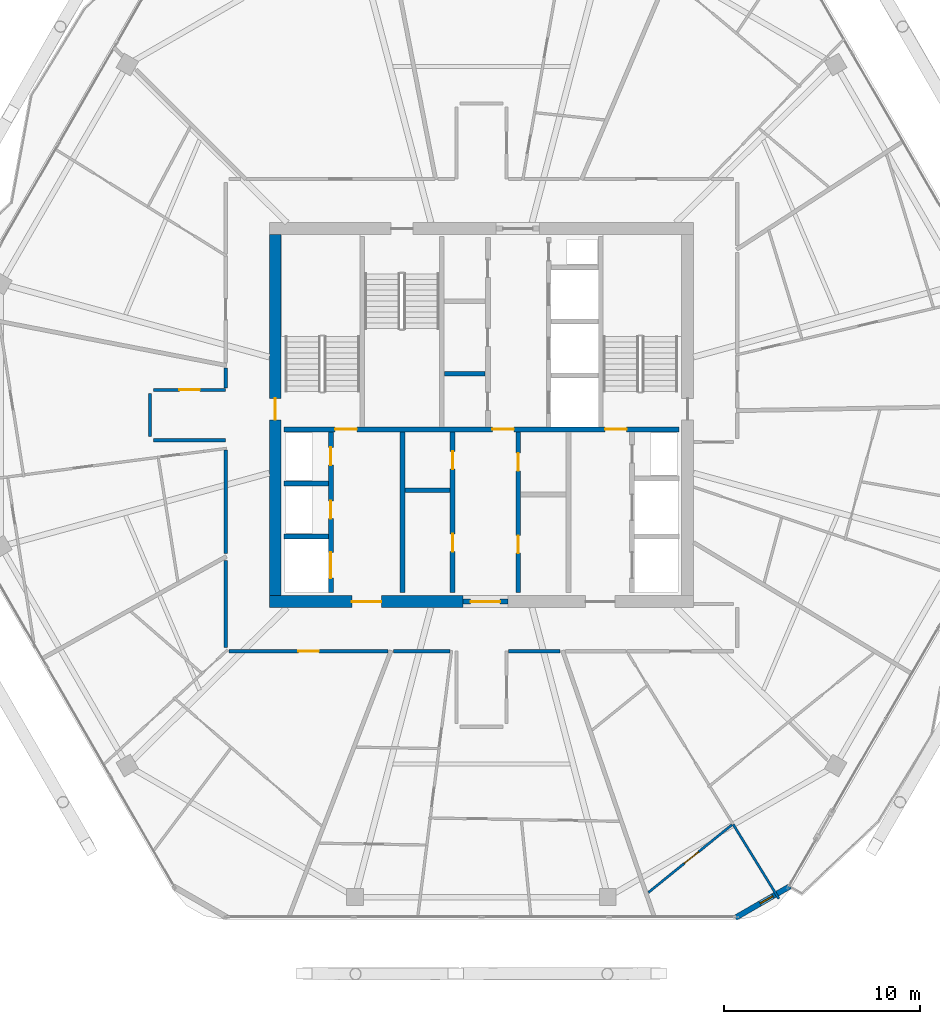
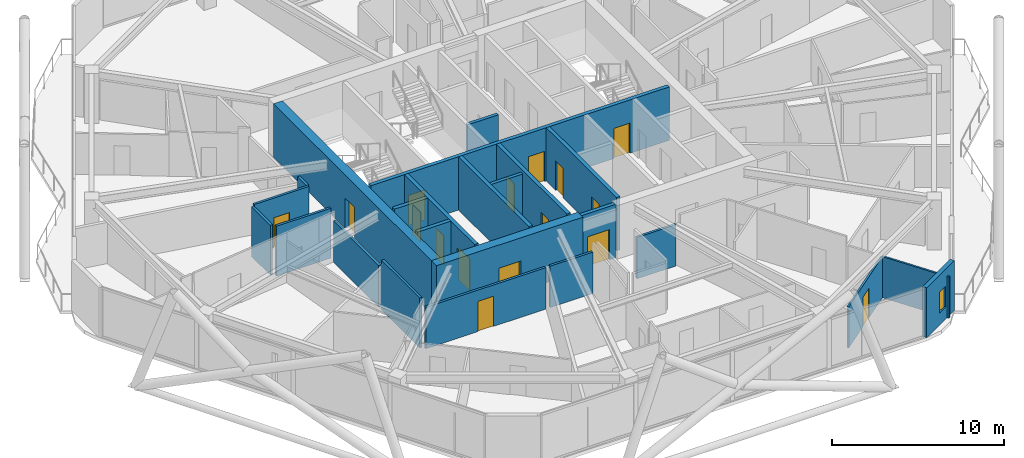
# One storey, part 21 of 29: 24 walls, 16 doors, 1 window, 17 openings.
"""IFC4 building model written with IfcOpenShell, lengths in metres."""

from ifc_helpers import new_model, si_unit, direction, frame, frame_2d, origin, place, context, subcontext, project, spatial, rectangle, extrude, material, layer, layer_set, type_object, element, fill, save


model = new_model("IFC4")

# Units and contexts
model_context = context("Model", 3, precision=1e-05, world=origin(), true_north=direction((0.0, 1.0)))
body_context = subcontext(model_context, "Body", "Model", "MODEL_VIEW")
ifc_project = project(units=[si_unit("LENGTHUNIT", "METRE"), si_unit("AREAUNIT", "SQUARE_METRE"), si_unit("VOLUMEUNIT", "CUBIC_METRE"), si_unit("PLANEANGLEUNIT", "RADIAN"), si_unit("MASSUNIT", "GRAM", prefix="KILO")], contexts=[model_context])

# Site, building, storey
site_placement = place(None, origin())
site = spatial("IfcSite", under=ifc_project, at=site_placement, CompositionType="ELEMENT")
building_placement = place(site_placement, origin())
building = spatial("IfcBuilding", under=site, at=building_placement, Name="Zuhravey Tower", CompositionType="ELEMENT")
storey_placement = place(building_placement, frame((0.0, 0.0, 292.0)))
storey = spatial("IfcBuildingStorey", under=building, at=storey_placement, Name="L74", CompositionType="ELEMENT", Elevation=292.0)

# Wall, opening, door
ifc_material_1 = material(Name="Concrete C50/60", Category="concrete")
ifc_layer_1 = layer(ifc_material_1, 0.60009765625)
ifc_layer_set_1 = layer_set([ifc_layer_1], Name="Concrete C50/60")
wall_type_1 = type_object("IfcWallType", Name="Core Shear Wall 600", PredefinedType="SHEAR", material=ifc_layer_set_1)
wall_1_placement = place(storey_placement, frame((25.199951171875, 22.5, 0.0), z_axis=(0.0, 0.0, 1.0), x_axis=(1.0, 0.0, 0.0)))
wall_1 = element("IfcWall", 1, at=wall_1_placement, inside=storey, type_object=wall_type_1, Name="L74 South-West Core Shear Wall CW60", PredefinedType="SHEAR", context=body_context, shape_type="SweptSolid", body=[
    extrude(rectangle(XDim=9.85009765625, YDim=0.60009765625, at=frame_2d((4.925048828125, 0.0))), origin(), (0.0, 0.0, 1.0), 3.800048828125),
])
opening_1_placement = place(wall_1_placement, frame((4.199951171875, 0.0, 0.0)))
opening_1 = element("IfcOpeningElement", 2, at=opening_1_placement, cuts=wall_1, Name="Opening FFD1", PredefinedType="OPENING", context=body_context, shape_type="SweptSolid", body=[
    extrude(rectangle(XDim=1.5, YDim=2.14990234375, at=frame_2d((0.75, 1.074951171875))), frame((0.0, 0.31201171875, 0.0), z_axis=(0.0, -1.0, 0.0), x_axis=(1.0, 0.0, 0.0)), (0.0, 0.0, 1.0), 0.6240234375),
])
ifc_material_2 = material(Name="Galvanised fire-rated steel leaf", Category="steel")
door_type_1 = type_object("IfcDoorType", Name="Firefighting Lobby Double Door 1500x2150", OperationType="DOUBLE_DOOR_SINGLE_SWING", PredefinedType="DOOR", material=ifc_material_2)
door_1_placement = place(opening_1_placement, origin())
door_1 = element("IfcDoor", 3, at=door_1_placement, inside=storey, type_object=door_type_1, Name="L74 Firefighting Lobby West Door", OperationType="DOUBLE_DOOR_SINGLE_SWING", OverallHeight=2.14990234375, OverallWidth=1.5, PredefinedType="DOOR", context=body_context, shape_type="SweptSolid", body=[
    extrude(rectangle(XDim=1.5, YDim=2.14990234375, at=frame_2d((0.75, 1.074951171875))), frame((0.0, 0.02490234375, 0.0), z_axis=(0.0, -1.0, 0.0), x_axis=(1.0, 0.0, 0.0)), (0.0, 0.0, 1.0), 0.050048828125),
])
fill(opening_1, door_1)

wall_2_placement = place(storey_placement, frame((25.5, 22.800048828125, 0.0), z_axis=(0.0, 0.0, 1.0), x_axis=(0.0, 1.0, 0.0)))
wall_2 = element("IfcWall", 4, at=wall_2_placement, inside=storey, type_object=wall_type_1, Name="L74 West Core Shear Wall CW60", PredefinedType="SHEAR", context=body_context, shape_type="SweptSolid", body=[
    extrude(rectangle(XDim=18.39990234375, YDim=0.60009765625, at=frame_2d((9.199951171875, 0.0))), origin(), (0.0, 0.0, 1.0), 3.800048828125),
])
opening_2_placement = place(wall_2_placement, frame((8.949951171875, 0.0, 0.0)))
opening_2 = element("IfcOpeningElement", 5, at=opening_2_placement, cuts=wall_2, Name="Opening STD1", PredefinedType="OPENING", context=body_context, shape_type="SweptSolid", body=[
    extrude(rectangle(XDim=1.10009765625, YDim=2.14990234375, at=frame_2d((0.550048828125, 1.074951171875))), frame((0.0, 0.31201171875, 0.0), z_axis=(0.0, -1.0, 0.0), x_axis=(1.0, 0.0, 0.0)), (0.0, 0.0, 1.0), 0.6240234375),
])
door_type_2 = type_object("IfcDoorType", Name="Protected Stair Fire Door 1100x2150", OperationType="NOTDEFINED", PredefinedType="USERDEFINED", material=ifc_material_2)
door_2_placement = place(opening_2_placement, frame((1.10009765625, 0.0, 0.0), z_axis=(0.0, 0.0, 1.0), x_axis=(-1.0, 0.0, 0.0)))
door_2 = element("IfcDoor", 6, at=door_2_placement, inside=storey, type_object=door_type_2, Name="L74 Stair ST1 Door", ObjectType="EXITDOOR", OperationType="SINGLE_SWING_RIGHT", OverallHeight=2.14990234375, OverallWidth=1.10009765625, PredefinedType="USERDEFINED", context=body_context, shape_type="SweptSolid", body=[
    extrude(rectangle(XDim=1.10009765625, YDim=2.14990234375, at=frame_2d((0.550048828125, 1.074951171875))), frame((0.0, 0.02490234375, 0.0), z_axis=(0.0, -1.0, 0.0), x_axis=(1.0, 0.0, 0.0)), (0.0, 0.0, 1.0), 0.050048828125),
])
fill(opening_2, door_2)

ifc_material_3 = material(Name="Gypsum fire-rated stud partition")
ifc_layer_2 = layer(ifc_material_3, 0.159912109375)
ifc_layer_set_2 = layer_set([ifc_layer_2], Name="Gypsum fire-rated stud partition")
wall_type_2 = type_object("IfcWallType", Name="Corridor Fire Partition 160", PredefinedType="PARTITIONING", material=ifc_layer_set_2)
wall_3_placement = place(storey_placement, frame((22.969970703125, 33.280029296875, 0.0), z_axis=(0.0, 0.0, 1.0), x_axis=(-1.0, 0.0, 0.0)))
wall_3 = element("IfcWall", 7, at=wall_3_placement, inside=storey, type_object=wall_type_2, Name="L74 IW16 Partition 025", PredefinedType="PARTITIONING", context=body_context, shape_type="SweptSolid", body=[
    extrude(rectangle(XDim=3.669921875, YDim=0.159912109375, at=frame_2d((1.8349609375, 0.0))), origin(), (0.0, 0.0, 1.0), 3.550048828125),
])
opening_3_placement = place(wall_3_placement, frame((1.31005859375, 0.0, 0.0)))
opening_3 = element("IfcOpeningElement", 8, at=opening_3_placement, cuts=wall_3, Name="Opening APD1", PredefinedType="OPENING", context=body_context, shape_type="SweptSolid", body=[
    extrude(rectangle(XDim=1.050048828125, YDim=2.14990234375, at=frame_2d((0.52490234375, 1.074951171875))), frame((0.0, 0.092041015625, 0.0), z_axis=(0.0, -1.0, 0.0), x_axis=(1.0, 0.0, 0.0)), (0.0, 0.0, 1.0), 0.183837890625),
])
ifc_material_4 = material(Name="Solid-core oak fire-rated leaf")
door_type_3 = type_object("IfcDoorType", Name="Apartment Entrance Fire Door 1050x2150", OperationType="NOTDEFINED", PredefinedType="DOOR", material=ifc_material_4)
door_3_placement = place(opening_3_placement, origin())
door_3 = element("IfcDoor", 9, at=door_3_placement, inside=storey, type_object=door_type_3, Name="L74 Door 025.1", OperationType="SINGLE_SWING_LEFT", OverallHeight=2.14990234375, OverallWidth=1.050048828125, PredefinedType="DOOR", context=body_context, shape_type="SweptSolid", body=[
    extrude(rectangle(XDim=1.050048828125, YDim=2.14990234375, at=frame_2d((0.52490234375, 1.074951171875))), frame((0.0, 0.02490234375, 0.0), z_axis=(0.0, -1.0, 0.0), x_axis=(1.0, 0.0, 0.0)), (0.0, 0.0, 1.0), 0.050048828125),
])
fill(opening_3, door_3)

wall_4_placement = place(storey_placement, frame((23.14990234375, 19.969970703125, 0.0), z_axis=(0.0, 0.0, 1.0), x_axis=(1.0, 0.0, 0.0)))
wall_4 = element("IfcWall", 10, at=wall_4_placement, inside=storey, type_object=wall_type_2, Name="L74 IW16 Partition 030", PredefinedType="PARTITIONING", context=body_context, shape_type="SweptSolid", body=[
    extrude(rectangle(XDim=8.08984375, YDim=0.159912109375, at=frame_2d((4.044921875, 0.0))), origin(), (0.0, 0.0, 1.0), 2.949951171875),
])
opening_4_placement = place(wall_4_placement, frame((3.52001953125, 0.0, 0.0)))
opening_4 = element("IfcOpeningElement", 11, at=opening_4_placement, cuts=wall_4, Name="Opening APD1", PredefinedType="OPENING", context=body_context, shape_type="SweptSolid", body=[
    extrude(rectangle(XDim=1.050048828125, YDim=2.14990234375, at=frame_2d((0.52490234375, 1.074951171875))), frame((0.0, 0.092041015625, 0.0), z_axis=(0.0, -1.0, 0.0), x_axis=(1.0, 0.0, 0.0)), (0.0, 0.0, 1.0), 0.183837890625),
])
door_4_placement = place(opening_4_placement, frame((1.050048828125, 0.0, 0.0), z_axis=(0.0, 0.0, 1.0), x_axis=(-1.0, 0.0, 0.0)))
door_4 = element("IfcDoor", 12, at=door_4_placement, inside=storey, type_object=door_type_3, Name="L74 Door 030.1", OperationType="SINGLE_SWING_RIGHT", OverallHeight=2.14990234375, OverallWidth=1.050048828125, PredefinedType="DOOR", context=body_context, shape_type="SweptSolid", body=[
    extrude(rectangle(XDim=1.050048828125, YDim=2.14990234375, at=frame_2d((0.52490234375, 1.074951171875))), frame((0.0, 0.02490234375, 0.0), z_axis=(0.0, -1.0, 0.0), x_axis=(1.0, 0.0, 0.0)), (0.0, 0.0, 1.0), 0.050048828125),
])
fill(opening_4, door_4)

# Walls
wall_5_placement = place(storey_placement, frame((19.300048828125, 30.719970703125, 0.0), z_axis=(0.0, 0.0, 1.0), x_axis=(1.0, 0.0, 0.0)))
element("IfcWall", 13, at=wall_5_placement, inside=storey, type_object=wall_type_2, Name="L74 IW16 Partition 110", PredefinedType="PARTITIONING", context=body_context, shape_type="SweptSolid", body=[
    extrude(rectangle(XDim=3.669921875, YDim=0.159912109375, at=frame_2d((1.8349609375, 0.0))), origin(), (0.0, 0.0, 1.0), 3.550048828125),
])
wall_6_placement = place(storey_placement, frame((19.1201171875, 33.10009765625, 0.0), z_axis=(0.0, 0.0, 1.0), x_axis=(0.0, -1.0, 0.0)))
element("IfcWall", 14, at=wall_6_placement, inside=storey, type_object=wall_type_2, Name="L74 IW16 Partition 111", PredefinedType="PARTITIONING", context=body_context, shape_type="SweptSolid", body=[
    extrude(rectangle(XDim=2.2001953125, YDim=0.159912109375, at=frame_2d((1.10009765625, 0.0))), origin(), (0.0, 0.0, 1.0), 3.550048828125),
])
wall_7_placement = place(storey_placement, frame((22.969970703125, 34.39453125, 0.0), z_axis=(0.0, 0.0, 1.0), x_axis=(0.0, -1.0, 0.0)))
element("IfcWall", 15, at=wall_7_placement, inside=storey, type_object=wall_type_2, Name="L74 IW16 Partition 112", PredefinedType="PARTITIONING", context=body_context, shape_type="SweptSolid", body=[
    extrude(rectangle(XDim=1.026611328125, YDim=0.159912109375, at=frame_2d((0.51318359375, 0.0))), origin(), (0.0, 0.0, 1.0), 3.550048828125),
])
wall_8_placement = place(storey_placement, frame((22.969970703125, 30.22998046875, 0.0), z_axis=(0.0, 0.0, 1.0), x_axis=(0.0, -1.0, 0.0)))
element("IfcWall", 16, at=wall_8_placement, inside=storey, type_object=wall_type_2, Name="L74 IW16 Partition 113", PredefinedType="PARTITIONING", context=body_context, shape_type="SweptSolid", body=[
    extrude(rectangle(XDim=5.281982421875, YDim=0.159912109375, at=frame_2d((2.64111328125, 0.0))), origin(), (0.0, 0.0, 1.0), 2.949951171875),
])
wall_9_placement = place(storey_placement, frame((22.969970703125, 24.60498046875, 0.0), z_axis=(0.0, 0.0, 1.0), x_axis=(0.0, -1.0, 0.0)))
element("IfcWall", 17, at=wall_9_placement, inside=storey, type_object=wall_type_2, Name="L74 IW16 Partition 114", PredefinedType="PARTITIONING", context=body_context, shape_type="SweptSolid", body=[
    extrude(rectangle(XDim=4.455078125, YDim=0.159912109375, at=frame_2d((2.2275390625, 0.0))), origin(), (0.0, 0.0, 1.0), 3.550048828125),
])
wall_10_placement = place(storey_placement, frame((37.367919921875, 19.969970703125, 0.0), z_axis=(0.0, 0.0, 1.0), x_axis=(1.0, 0.0, 0.0)))
element("IfcWall", 18, at=wall_10_placement, inside=storey, type_object=wall_type_2, Name="L74 IW16 Partition 116", PredefinedType="PARTITIONING", context=body_context, shape_type="SweptSolid", body=[
    extrude(rectangle(XDim=2.63623046875, YDim=0.159912109375, at=frame_2d((1.318115234375, 0.0))), origin(), (0.0, 0.0, 1.0), 2.949951171875),
])
wall_11_placement = place(storey_placement, frame((31.5234375, 19.969970703125, 0.0), z_axis=(0.0, 0.0, 1.0), x_axis=(1.0, 0.0, 0.0)))
element("IfcWall", 19, at=wall_11_placement, inside=storey, type_object=wall_type_2, Name="L74 IW16 Partition 118", PredefinedType="PARTITIONING", context=body_context, shape_type="SweptSolid", body=[
    extrude(rectangle(XDim=2.8798828125, YDim=0.159912109375, at=frame_2d((1.43994140625, 0.0))), origin(), (0.0, 0.0, 1.0), 2.949951171875),
])

# Wall, opening, window
ifc_material_5 = material(Name="Precast concrete C40/50", Category="concrete")
ifc_layer_3 = layer(ifc_material_5, 0.280029296875)
ifc_layer_set_3 = layer_set([ifc_layer_3], Name="Precast concrete C40/50")
wall_type_3 = type_object("IfcWallType", Name="Crown Architectural Wall 280", PredefinedType="SOLIDWALL", material=ifc_layer_set_3)
wall_12_placement = place(storey_placement, frame((51.714599609375, 7.996337890625, 0.0), z_axis=(0.0, 0.0, 1.0), x_axis=(-0.866028773314, -0.499994163758, 0.0)))
wall_12 = element("IfcWall", 20, at=wall_12_placement, inside=storey, type_object=wall_type_3, Name="L74 Rounded Corner Closure Wall EW28-02", PredefinedType="SOLIDWALL", context=body_context, shape_type="SweptSolid", body=[
    extrude(rectangle(XDim=3.21484375, YDim=0.280029296875, at=frame_2d((1.607421875, 0.0))), origin(), (0.0, 0.0, 1.0), 3.550048828125),
])
opening_5_placement = place(wall_12_placement, frame((1.002685546875, 0.0, 0.85009765625)))
opening_5 = element("IfcOpeningElement", 21, at=opening_5_placement, cuts=wall_12, Name="Opening WN5", PredefinedType="OPENING", context=body_context, shape_type="SweptSolid", body=[
    extrude(rectangle(XDim=0.75, YDim=1.5, at=frame_2d((0.375, 0.75))), frame((0.0, 0.152099609375, 0.0), z_axis=(0.0, -1.0, 0.0), x_axis=(1.0, 0.0, 0.0)), (0.0, 0.0, 1.0), 0.303955078125),
])
ifc_material_6 = material(Name="Thermally broken aluminium and triple low-E glass", Category="aluminium")
window_type = type_object("IfcWindowType", Name="Residential Corner Casement Window 750x1500", PartitioningType="SINGLE_PANEL", PredefinedType="WINDOW", material=ifc_material_6)
window_placement = place(opening_5_placement, origin())
window = element("IfcWindow", 22, at=window_placement, inside=storey, type_object=window_type, Name="L74 Corner Casement Window WN5-02.1", OverallHeight=1.5, OverallWidth=0.75, PartitioningType="SINGLE_PANEL", PredefinedType="WINDOW", context=body_context, shape_type="SweptSolid", body=[
    extrude(rectangle(XDim=0.75, YDim=1.5, at=frame_2d((0.375, 0.75))), frame((0.0, 0.030029296875, 0.0), z_axis=(0.0, -1.0, 0.0), x_axis=(1.0, 0.0, 0.0)), (0.0, 0.0, 1.0), 0.06005859375),
])
fill(opening_5, window)

# Wall, opening, door
ifc_layer_4 = layer(ifc_material_1, 0.25)
ifc_layer_set_4 = layer_set([ifc_layer_4], Name="Concrete C50/60")
wall_type_4 = type_object("IfcWallType", Name="Firefighting Shaft & Stair Wall 250", PredefinedType="SOLIDWALL", material=ifc_layer_set_4)
wall_13_placement = place(storey_placement, frame((35.06005859375, 22.5, 0.0), z_axis=(0.0, 0.0, 1.0), x_axis=(1.0, 0.0, 0.0)))
wall_13 = element("IfcWall", 23, at=wall_13_placement, inside=storey, type_object=wall_type_4, Name="L74 FW25 Shaft Wall 001", PredefinedType="SOLIDWALL", context=body_context, shape_type="SweptSolid", body=[
    extrude(rectangle(XDim=2.280029296875, YDim=0.25, at=frame_2d((1.14013671875, 0.0))), origin(), (0.0, 0.0, 1.0), 3.800048828125),
])
opening_6_placement = place(wall_13_placement, frame((0.389892578125, 0.0, 0.0)))
opening_6 = element("IfcOpeningElement", 24, at=opening_6_placement, cuts=wall_13, Name="Opening FFD1", PredefinedType="OPENING", context=body_context, shape_type="SweptSolid", body=[
    extrude(rectangle(XDim=1.5, YDim=2.14990234375, at=frame_2d((0.75, 1.074951171875))), frame((0.0, 0.136962890625, 0.0), z_axis=(0.0, -1.0, 0.0), x_axis=(1.0, 0.0, 0.0)), (0.0, 0.0, 1.0), 0.27392578125),
])
door_5_placement = place(opening_6_placement, frame((1.5, 0.0, 0.0), z_axis=(0.0, 0.0, 1.0), x_axis=(-1.0, 0.0, 0.0)))
door_5 = element("IfcDoor", 25, at=door_5_placement, inside=storey, type_object=door_type_1, Name="L74 South Lift Lobby Exit Door", OperationType="DOUBLE_DOOR_SINGLE_SWING", OverallHeight=2.14990234375, OverallWidth=1.5, PredefinedType="DOOR", context=body_context, shape_type="SweptSolid", body=[
    extrude(rectangle(XDim=1.5, YDim=2.14990234375, at=frame_2d((0.75, 1.074951171875))), frame((0.0, 0.02490234375, 0.0), z_axis=(0.0, -1.0, 0.0), x_axis=(1.0, 0.0, 0.0)), (0.0, 0.0, 1.0), 0.050048828125),
])
fill(opening_6, door_5)

# Wall, openings, doors
wall_14_placement = place(storey_placement, frame((25.949951171875, 31.27490234375, 0.0), z_axis=(0.0, 0.0, 1.0), x_axis=(1.0, 0.0, 0.0)))
wall_14 = element("IfcWall", 26, at=wall_14_placement, inside=storey, type_object=wall_type_4, Name="L74 FW25 Shaft Wall 003", PredefinedType="SOLIDWALL", context=body_context, shape_type="SweptSolid", body=[
    extrude(rectangle(XDim=20.10009765625, YDim=0.25, at=frame_2d((10.050048828125, 0.0))), origin(), (0.0, 0.0, 1.0), 3.800048828125),
])
opening_7_placement = place(wall_14_placement, frame((2.60009765625, 0.0, 0.0)))
opening_7 = element("IfcOpeningElement", 27, at=opening_7_placement, cuts=wall_14, Name="Opening STD1", PredefinedType="OPENING", context=body_context, shape_type="SweptSolid", body=[
    extrude(rectangle(XDim=1.10009765625, YDim=2.14990234375, at=frame_2d((0.550048828125, 1.074951171875))), frame((0.0, 0.136962890625, 0.0), z_axis=(0.0, -1.0, 0.0), x_axis=(1.0, 0.0, 0.0)), (0.0, 0.0, 1.0), 0.27392578125),
])
opening_8_placement = place(wall_14_placement, frame((10.60009765625, 0.0, 0.0)))
opening_8 = element("IfcOpeningElement", 28, at=opening_8_placement, cuts=wall_14, Name="Opening STD1", PredefinedType="OPENING", context=body_context, shape_type="SweptSolid", body=[
    extrude(rectangle(XDim=1.10009765625, YDim=2.14990234375, at=frame_2d((0.550048828125, 1.074951171875))), frame((0.0, 0.136962890625, 0.0), z_axis=(0.0, -1.0, 0.0), x_axis=(1.0, 0.0, 0.0)), (0.0, 0.0, 1.0), 0.27392578125),
])
opening_9_placement = place(wall_14_placement, frame((16.35009765625, 0.0, 0.0)))
opening_9 = element("IfcOpeningElement", 29, at=opening_9_placement, cuts=wall_14, Name="Opening STD1", PredefinedType="OPENING", context=body_context, shape_type="SweptSolid", body=[
    extrude(rectangle(XDim=1.10009765625, YDim=2.14990234375, at=frame_2d((0.550048828125, 1.074951171875))), frame((0.0, 0.136962890625, 0.0), z_axis=(0.0, -1.0, 0.0), x_axis=(1.0, 0.0, 0.0)), (0.0, 0.0, 1.0), 0.27392578125),
])
door_6_placement = place(opening_7_placement, origin())
door_6 = element("IfcDoor", 30, at=door_6_placement, inside=storey, type_object=door_type_2, Name="L74 FFL-W to ST1 Door", ObjectType="EXITDOOR", OperationType="SINGLE_SWING_LEFT", OverallHeight=2.14990234375, OverallWidth=1.10009765625, PredefinedType="USERDEFINED", context=body_context, shape_type="SweptSolid", body=[
    extrude(rectangle(XDim=1.10009765625, YDim=2.14990234375, at=frame_2d((0.550048828125, 1.074951171875))), frame((0.0, 0.02490234375, 0.0), z_axis=(0.0, -1.0, 0.0), x_axis=(1.0, 0.0, 0.0)), (0.0, 0.0, 1.0), 0.050048828125),
])
fill(opening_7, door_6)
door_7_placement = place(opening_8_placement, origin())
door_7 = element("IfcDoor", 31, at=door_7_placement, inside=storey, type_object=door_type_2, Name="L74 Core Lobby Link Door", ObjectType="EXITDOOR", OperationType="SINGLE_SWING_RIGHT", OverallHeight=2.14990234375, OverallWidth=1.10009765625, PredefinedType="USERDEFINED", context=body_context, shape_type="SweptSolid", body=[
    extrude(rectangle(XDim=1.10009765625, YDim=2.14990234375, at=frame_2d((0.550048828125, 1.074951171875))), frame((0.0, 0.02490234375, 0.0), z_axis=(0.0, -1.0, 0.0), x_axis=(1.0, 0.0, 0.0)), (0.0, 0.0, 1.0), 0.050048828125),
])
fill(opening_8, door_7)
door_8_placement = place(opening_9_placement, origin())
door_8 = element("IfcDoor", 32, at=door_8_placement, inside=storey, type_object=door_type_2, Name="L74 FFL-E to ST2 Door", ObjectType="EXITDOOR", OperationType="SINGLE_SWING_LEFT", OverallHeight=2.14990234375, OverallWidth=1.10009765625, PredefinedType="USERDEFINED", context=body_context, shape_type="SweptSolid", body=[
    extrude(rectangle(XDim=1.10009765625, YDim=2.14990234375, at=frame_2d((0.550048828125, 1.074951171875))), frame((0.0, 0.02490234375, 0.0), z_axis=(0.0, -1.0, 0.0), x_axis=(1.0, 0.0, 0.0)), (0.0, 0.0, 1.0), 0.050048828125),
])
fill(opening_9, door_8)

# Walls
for number, where, z_axis, x_axis, name in (
    (33, (25.949951171875, 25.824951171875, 0.0), (0.0, 0.0, 1.0), (1.0, 0.0, 0.0), "L74 FW25 Shaft Wall 009"),
    (34, (25.949951171875, 28.52490234375, 0.0), (0.0, 0.0, 1.0), (1.0, 0.0, 0.0), "L74 FW25 Shaft Wall 010"),
):
    element("IfcWall", number, at=place(storey_placement, frame(where, z_axis=z_axis, x_axis=x_axis)), inside=storey, type_object=wall_type_4, Name=name, PredefinedType="SOLIDWALL", context=body_context, shape_type="SweptSolid", body=[
        extrude(rectangle(XDim=2.25, YDim=0.25, at=frame_2d((1.125, 0.0))), origin(), (0.0, 0.0, 1.0), 3.800048828125),
    ])

# Wall, openings, doors
wall_15_placement = place(storey_placement, frame((28.324951171875, 22.949951171875, 0.0), z_axis=(0.0, 0.0, 1.0), x_axis=(0.0, 1.0, 0.0)))
wall_15 = element("IfcWall", 35, at=wall_15_placement, inside=storey, type_object=wall_type_4, Name="L74 FW25 Shaft Wall 011", PredefinedType="SOLIDWALL", context=body_context, shape_type="SweptSolid", body=[
    extrude(rectangle(XDim=8.199951171875, YDim=0.25, at=frame_2d((4.10009765625, 0.0))), origin(), (0.0, 0.0, 1.0), 3.800048828125),
])
opening_10_placement = place(wall_15_placement, frame((0.75, 0.0, 0.0)))
opening_10 = element("IfcOpeningElement", 36, at=opening_10_placement, cuts=wall_15, Name="Opening LD2", PredefinedType="OPENING", context=body_context, shape_type="SweptSolid", body=[
    extrude(rectangle(XDim=1.300048828125, YDim=2.300048828125, at=frame_2d((0.64990234375, 1.14990234375))), frame((0.0, 0.136962890625, 0.0), z_axis=(0.0, -1.0, 0.0), x_axis=(1.0, 0.0, 0.0)), (0.0, 0.0, 1.0), 0.27392578125),
])
opening_11_placement = place(wall_15_placement, frame((3.780029296875, 0.0, 0.0)))
opening_11 = element("IfcOpeningElement", 37, at=opening_11_placement, cuts=wall_15, Name="Opening RSD1", PredefinedType="OPENING", context=body_context, shape_type="SweptSolid", body=[
    extrude(rectangle(XDim=0.89990234375, YDim=2.10009765625, at=frame_2d((0.449951171875, 1.050048828125))), frame((0.0, 0.136962890625, 0.0), z_axis=(0.0, -1.0, 0.0), x_axis=(1.0, 0.0, 0.0)), (0.0, 0.0, 1.0), 0.27392578125),
])
opening_12_placement = place(wall_15_placement, frame((6.5, 0.0, 0.0)))
opening_12 = element("IfcOpeningElement", 38, at=opening_12_placement, cuts=wall_15, Name="Opening RSD1", PredefinedType="OPENING", context=body_context, shape_type="SweptSolid", body=[
    extrude(rectangle(XDim=0.89990234375, YDim=2.10009765625, at=frame_2d((0.449951171875, 1.050048828125))), frame((0.0, 0.136962890625, 0.0), z_axis=(0.0, -1.0, 0.0), x_axis=(1.0, 0.0, 0.0)), (0.0, 0.0, 1.0), 0.27392578125),
])
ifc_material_7 = material(Name="Brushed stainless steel", Category="steel")
door_type_4 = type_object("IfcDoorType", Name="Freight & Stretcher Lift Sliding Door 1300x2300", OperationType="DOUBLE_DOOR_SLIDING", PredefinedType="DOOR", material=ifc_material_7)
door_9_placement = place(opening_10_placement, frame((1.300048828125, 0.0, 0.0), z_axis=(0.0, 0.0, 1.0), x_axis=(-1.0, 0.0, 0.0)))
door_9 = element("IfcDoor", 39, at=door_9_placement, inside=storey, type_object=door_type_4, Name="L74 Lift FF1 Landing Door", OperationType="DOUBLE_DOOR_SLIDING", OverallHeight=2.300048828125, OverallWidth=1.300048828125, PredefinedType="DOOR", context=body_context, shape_type="SweptSolid", body=[
    extrude(rectangle(XDim=1.300048828125, YDim=2.300048828125, at=frame_2d((0.64990234375, 1.14990234375))), frame((0.0, 0.02490234375, 0.0), z_axis=(0.0, -1.0, 0.0), x_axis=(1.0, 0.0, 0.0)), (0.0, 0.0, 1.0), 0.050048828125),
])
fill(opening_10, door_9)
ifc_material_8 = material(Name="Galvanised fire-rated steel access leaf", Category="steel")
door_type_5 = type_object("IfcDoorType", Name="Riser & Shaft Access Fire Door 900x2100", OperationType="NOTDEFINED", PredefinedType="DOOR", material=ifc_material_8)
door_10_placement = place(opening_11_placement, frame((0.89990234375, 0.0, 0.0), z_axis=(0.0, 0.0, 1.0), x_axis=(-1.0, 0.0, 0.0)))
door_10 = element("IfcDoor", 40, at=door_10_placement, inside=storey, type_object=door_type_5, Name="L74 Electrical Riser Door", OperationType="SINGLE_SWING_RIGHT", OverallHeight=2.10009765625, OverallWidth=0.89990234375, PredefinedType="DOOR", context=body_context, shape_type="SweptSolid", body=[
    extrude(rectangle(XDim=0.89990234375, YDim=2.10009765625, at=frame_2d((0.449951171875, 1.050048828125))), frame((0.0, 0.02490234375, 0.0), z_axis=(0.0, -1.0, 0.0), x_axis=(1.0, 0.0, 0.0)), (0.0, 0.0, 1.0), 0.050048828125),
])
fill(opening_11, door_10)
door_11_placement = place(opening_12_placement, frame((0.89990234375, 0.0, 0.0), z_axis=(0.0, 0.0, 1.0), x_axis=(-1.0, 0.0, 0.0)))
door_11 = element("IfcDoor", 41, at=door_11_placement, inside=storey, type_object=door_type_5, Name="L74 Smoke Shaft Access Door", OperationType="SINGLE_SWING_LEFT", OverallHeight=2.10009765625, OverallWidth=0.89990234375, PredefinedType="DOOR", context=body_context, shape_type="SweptSolid", body=[
    extrude(rectangle(XDim=0.89990234375, YDim=2.10009765625, at=frame_2d((0.449951171875, 1.050048828125))), frame((0.0, 0.02490234375, 0.0), z_axis=(0.0, -1.0, 0.0), x_axis=(1.0, 0.0, 0.0)), (0.0, 0.0, 1.0), 0.050048828125),
])
fill(opening_12, door_11)

# Wall
wall_16_placement = place(storey_placement, frame((31.97509765625, 22.949951171875, 0.0), z_axis=(0.0, 0.0, 1.0), x_axis=(0.0, 1.0, 0.0)))
element("IfcWall", 42, at=wall_16_placement, inside=storey, type_object=wall_type_4, Name="L74 FW25 Shaft Wall 012", PredefinedType="SOLIDWALL", context=body_context, shape_type="SweptSolid", body=[
    extrude(rectangle(XDim=8.199951171875, YDim=0.25, at=frame_2d((4.10009765625, 0.0))), origin(), (0.0, 0.0, 1.0), 3.800048828125),
])

# Wall, openings, doors
wall_17_placement = place(storey_placement, frame((34.52490234375, 22.949951171875, 0.0), z_axis=(0.0, 0.0, 1.0), x_axis=(0.0, 1.0, 0.0)))
wall_17 = element("IfcWall", 43, at=wall_17_placement, inside=storey, type_object=wall_type_4, Name="L74 FW25 Shaft Wall 013", PredefinedType="SOLIDWALL", context=body_context, shape_type="SweptSolid", body=[
    extrude(rectangle(XDim=8.199951171875, YDim=0.25, at=frame_2d((4.10009765625, 0.0))), origin(), (0.0, 0.0, 1.0), 3.800048828125),
])
opening_13_placement = place(wall_17_placement, frame((2.10009765625, 0.0, 0.0)))
opening_13 = element("IfcOpeningElement", 44, at=opening_13_placement, cuts=wall_17, Name="Opening RSD1", PredefinedType="OPENING", context=body_context, shape_type="SweptSolid", body=[
    extrude(rectangle(XDim=0.89990234375, YDim=2.10009765625, at=frame_2d((0.449951171875, 1.050048828125))), frame((0.0, 0.136962890625, 0.0), z_axis=(0.0, -1.0, 0.0), x_axis=(1.0, 0.0, 0.0)), (0.0, 0.0, 1.0), 0.27392578125),
])
opening_14_placement = place(wall_17_placement, frame((6.300048828125, 0.0, 0.0)))
opening_14 = element("IfcOpeningElement", 45, at=opening_14_placement, cuts=wall_17, Name="Opening RSD1", PredefinedType="OPENING", context=body_context, shape_type="SweptSolid", body=[
    extrude(rectangle(XDim=0.89990234375, YDim=2.10009765625, at=frame_2d((0.449951171875, 1.050048828125))), frame((0.0, 0.136962890625, 0.0), z_axis=(0.0, -1.0, 0.0), x_axis=(1.0, 0.0, 0.0)), (0.0, 0.0, 1.0), 0.27392578125),
])
door_12_placement = place(opening_13_placement, origin())
door_12 = element("IfcDoor", 46, at=door_12_placement, inside=storey, type_object=door_type_5, Name="L74 Housekeeping Store Door", OperationType="SINGLE_SWING_RIGHT", OverallHeight=2.10009765625, OverallWidth=0.89990234375, PredefinedType="DOOR", context=body_context, shape_type="SweptSolid", body=[
    extrude(rectangle(XDim=0.89990234375, YDim=2.10009765625, at=frame_2d((0.449951171875, 1.050048828125))), frame((0.0, 0.02490234375, 0.0), z_axis=(0.0, -1.0, 0.0), x_axis=(1.0, 0.0, 0.0)), (0.0, 0.0, 1.0), 0.050048828125),
])
fill(opening_13, door_12)
door_13_placement = place(opening_14_placement, origin())
door_13 = element("IfcDoor", 47, at=door_13_placement, inside=storey, type_object=door_type_5, Name="L74 Comms Closet Door", OperationType="SINGLE_SWING_LEFT", OverallHeight=2.10009765625, OverallWidth=0.89990234375, PredefinedType="DOOR", context=body_context, shape_type="SweptSolid", body=[
    extrude(rectangle(XDim=0.89990234375, YDim=2.10009765625, at=frame_2d((0.449951171875, 1.050048828125))), frame((0.0, 0.02490234375, 0.0), z_axis=(0.0, -1.0, 0.0), x_axis=(1.0, 0.0, 0.0)), (0.0, 0.0, 1.0), 0.050048828125),
])
fill(opening_14, door_13)

wall_18_placement = place(storey_placement, frame((37.875, 22.949951171875, 0.0), z_axis=(0.0, 0.0, 1.0), x_axis=(0.0, 1.0, 0.0)))
wall_18 = element("IfcWall", 48, at=wall_18_placement, inside=storey, type_object=wall_type_4, Name="L74 FW25 Shaft Wall 015", PredefinedType="SOLIDWALL", context=body_context, shape_type="SweptSolid", body=[
    extrude(rectangle(XDim=8.199951171875, YDim=0.25, at=frame_2d((4.10009765625, 0.0))), origin(), (0.0, 0.0, 1.0), 3.800048828125),
])
opening_15_placement = place(wall_18_placement, frame((2.012451171875, 0.0, 0.0)))
opening_15 = element("IfcOpeningElement", 49, at=opening_15_placement, cuts=wall_18, Name="Opening RSD1", PredefinedType="OPENING", context=body_context, shape_type="SweptSolid", body=[
    extrude(rectangle(XDim=0.89990234375, YDim=2.10009765625, at=frame_2d((0.449951171875, 1.050048828125))), frame((0.0, 0.136962890625, 0.0), z_axis=(0.0, -1.0, 0.0), x_axis=(1.0, 0.0, 0.0)), (0.0, 0.0, 1.0), 0.27392578125),
])
opening_16_placement = place(wall_18_placement, frame((6.21240234375, 0.0, 0.0)))
opening_16 = element("IfcOpeningElement", 50, at=opening_16_placement, cuts=wall_18, Name="Opening RSD1", PredefinedType="OPENING", context=body_context, shape_type="SweptSolid", body=[
    extrude(rectangle(XDim=0.89990234375, YDim=2.10009765625, at=frame_2d((0.449951171875, 1.050048828125))), frame((0.0, 0.136962890625, 0.0), z_axis=(0.0, -1.0, 0.0), x_axis=(1.0, 0.0, 0.0)), (0.0, 0.0, 1.0), 0.27392578125),
])
door_14_placement = place(opening_15_placement, frame((0.89990234375, 0.0, 0.0), z_axis=(0.0, 0.0, 1.0), x_axis=(-1.0, 0.0, 0.0)))
door_14 = element("IfcDoor", 51, at=door_14_placement, inside=storey, type_object=door_type_5, Name="L74 Trunk Store Door", OperationType="SINGLE_SWING_RIGHT", OverallHeight=2.10009765625, OverallWidth=0.89990234375, PredefinedType="DOOR", context=body_context, shape_type="SweptSolid", body=[
    extrude(rectangle(XDim=0.89990234375, YDim=2.10009765625, at=frame_2d((0.449951171875, 1.050048828125))), frame((0.0, 0.02490234375, 0.0), z_axis=(0.0, -1.0, 0.0), x_axis=(1.0, 0.0, 0.0)), (0.0, 0.0, 1.0), 0.050048828125),
])
fill(opening_15, door_14)
door_15_placement = place(opening_16_placement, frame((0.89990234375, 0.0, 0.0), z_axis=(0.0, 0.0, 1.0), x_axis=(-1.0, 0.0, 0.0)))
door_15 = element("IfcDoor", 52, at=door_15_placement, inside=storey, type_object=door_type_5, Name="L74 Fiber Room Door", OperationType="SINGLE_SWING_LEFT", OverallHeight=2.10009765625, OverallWidth=0.89990234375, PredefinedType="DOOR", context=body_context, shape_type="SweptSolid", body=[
    extrude(rectangle(XDim=0.89990234375, YDim=2.10009765625, at=frame_2d((0.449951171875, 1.050048828125))), frame((0.0, 0.02490234375, 0.0), z_axis=(0.0, -1.0, 0.0), x_axis=(1.0, 0.0, 0.0)), (0.0, 0.0, 1.0), 0.050048828125),
])
fill(opening_16, door_15)

# Walls
ifc_material_9 = material(Name="Gypsum acoustic stud assembly")
ifc_layer_5 = layer(ifc_material_9, 0.219970703125)
ifc_layer_set_5 = layer_set([ifc_layer_5], Name="Gypsum acoustic stud assembly")
wall_type_5 = type_object("IfcWallType", Name="School Acoustic Compartment Wall 220", PredefinedType="PARTITIONING", material=ifc_layer_set_5)
wall_19_placement = place(storey_placement, frame((34.10791015625, 34.10009765625, 0.0), z_axis=(0.0, 0.0, 1.0), x_axis=(1.0, 0.0, 0.0)))
element("IfcWall", 53, at=wall_19_placement, inside=storey, type_object=wall_type_5, Name="L74 IW22 Partition 065", PredefinedType="PARTITIONING", context=body_context, shape_type="SweptSolid", body=[
    extrude(rectangle(XDim=2.083984375, YDim=0.219970703125, at=frame_2d((1.0419921875, 0.0))), origin(), (0.0, 0.0, 1.0), 3.550048828125),
])
wall_20_placement = place(storey_placement, frame((32.10791015625, 28.175048828125, 0.0), z_axis=(0.0, 0.0, 1.0), x_axis=(1.0, 0.0, 0.0)))
element("IfcWall", 54, at=wall_20_placement, inside=storey, type_object=wall_type_5, Name="L74 IW22 Partition 070", PredefinedType="PARTITIONING", context=body_context, shape_type="SweptSolid", body=[
    extrude(rectangle(XDim=2.2841796875, YDim=0.219970703125, at=frame_2d((1.14208984375, 0.0))), origin(), (0.0, 0.0, 1.0), 3.550048828125),
])

# Wall, opening, door
ifc_material_10 = material(Name="Gypsum metal-stud partition")
ifc_layer_6 = layer(ifc_material_10, 0.1201171875)
ifc_layer_set_6 = layer_set([ifc_layer_6], Name="Gypsum metal-stud partition")
wall_type_6 = type_object("IfcWallType", Name="Unit Internal Partition 120", PredefinedType="PARTITIONING", material=ifc_layer_set_6)
wall_21_placement = place(storey_placement, frame((44.505126953125, 7.682373046875, 0.0), z_axis=(0.0, 0.0, 1.0), x_axis=(0.777150298317, 0.629315035436, 0.0)))
wall_21 = element("IfcWall", 55, at=wall_21_placement, inside=storey, type_object=wall_type_6, Name="L74 IW12 Partition 041", PredefinedType="PARTITIONING", context=body_context, shape_type="SweptSolid", body=[
    extrude(rectangle(XDim=5.47119140625, YDim=0.1201171875, at=frame_2d((2.735595703125, 0.0))), origin(), (0.0, 0.0, 1.0), 2.929931640625),
])
opening_17_placement = place(wall_21_placement, frame((2.345458984375, 0.0, 0.0)))
opening_17 = element("IfcOpeningElement", 56, at=opening_17_placement, cuts=wall_21, Name="Opening IND1", PredefinedType="OPENING", context=body_context, shape_type="SweptSolid", body=[
    extrude(rectangle(XDim=0.949951171875, YDim=2.10009765625, at=frame_2d((0.47509765625, 1.050048828125))), frame((0.0, 0.072021484375, 0.0), z_axis=(0.0, -1.0, 0.0), x_axis=(1.0, 0.0, 0.0)), (0.0, 0.0, 1.0), 0.14404296875),
])
ifc_material_11 = material(Name="Painted engineered timber leaf", Category="wood")
door_type_6 = type_object("IfcDoorType", Name="Internal Room & Bedroom Door 950x2100", OperationType="NOTDEFINED", PredefinedType="DOOR", material=ifc_material_11)
door_16_placement = place(opening_17_placement, frame((0.949951171875, 0.0, 0.0), z_axis=(0.0, 0.0, 1.0), x_axis=(-1.0, 0.0, 0.0)))
door_16 = element("IfcDoor", 57, at=door_16_placement, inside=storey, type_object=door_type_6, Name="Apartment L74-04 Bedroom 1 Door", OperationType="SINGLE_SWING_LEFT", OverallHeight=2.10009765625, OverallWidth=0.949951171875, PredefinedType="DOOR", context=body_context, shape_type="SweptSolid", body=[
    extrude(rectangle(XDim=0.949951171875, YDim=2.10009765625, at=frame_2d((0.47509765625, 1.050048828125))), frame((0.0, 0.02490234375, 0.0), z_axis=(0.0, -1.0, 0.0), x_axis=(1.0, 0.0, 0.0)), (0.0, 0.0, 1.0), 0.050048828125),
])
fill(opening_17, door_16)

# Wall
wall_22_placement = place(storey_placement, frame((48.82373046875, 11.147216796875, 0.0), z_axis=(0.0, 0.0, 1.0), x_axis=(0.523827692324, -0.851824247574, 0.0)))
element("IfcWall", 58, at=wall_22_placement, inside=storey, type_object=wall_type_6, Name="L74 IW12 Partition 087", PredefinedType="PARTITIONING", context=body_context, shape_type="SweptSolid", body=[
    extrude(rectangle(XDim=4.4443359375, YDim=0.1201171875, at=frame_2d((2.22216796875, 0.0))), origin(), (0.0, 0.0, 1.0), 2.929931640625),
])

save(model, "model.ifc")
